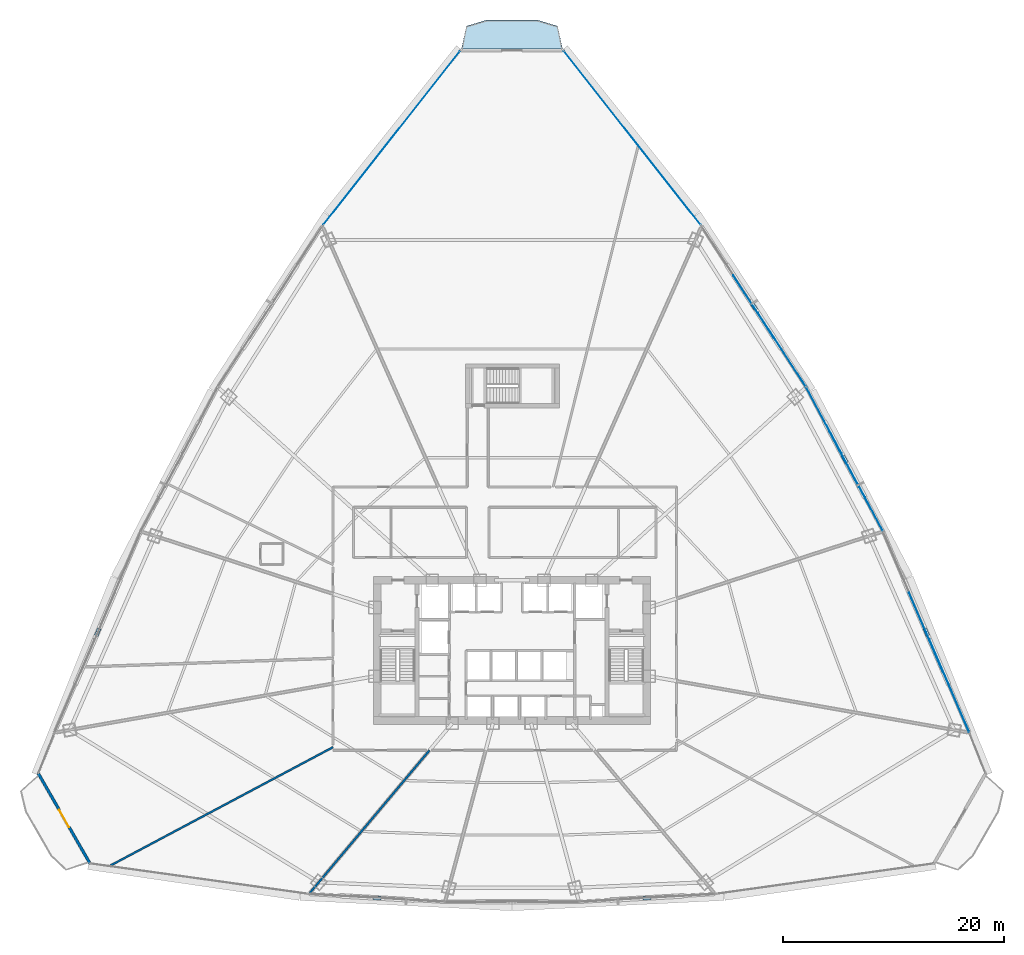
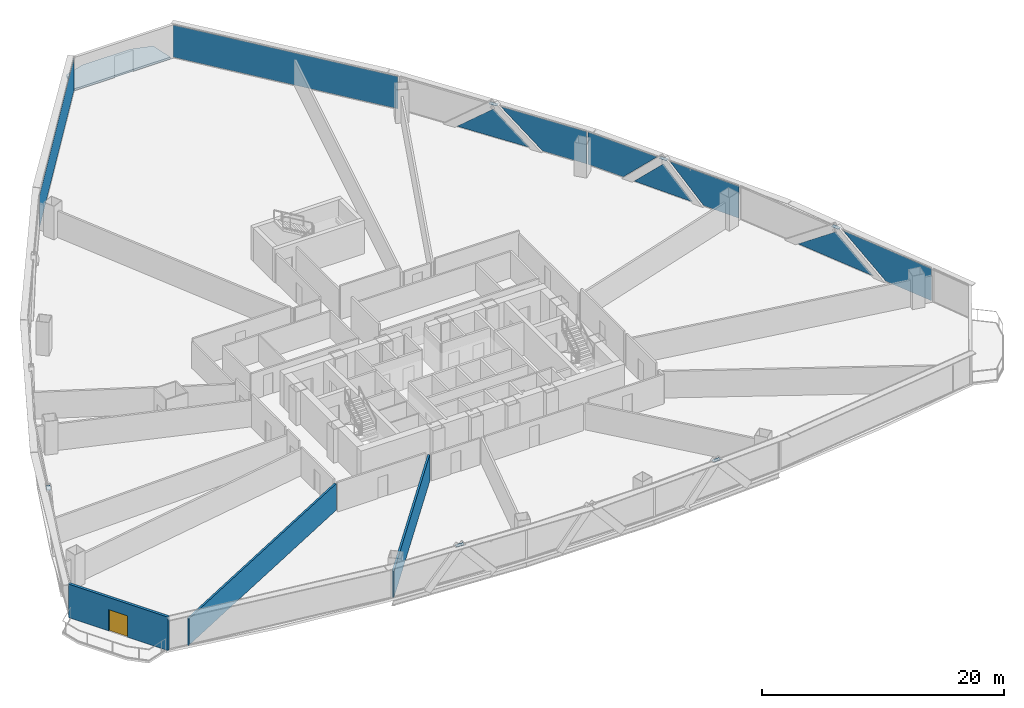
# One storey, part 28 of 37: 15 plates, 3 walls, 1 door, 1 slab, 1 opening, 5 elements without a shape of their own.
"""IFC4 building model written with IfcOpenShell, lengths in metres."""

from ifc_helpers import new_model, si_unit, direction, frame, frame_2d, origin, origin_with_axes, origin_2d, place, context, subcontext, project, spatial, polyline, rectangle, outline, extrude, source, transform, mapped, material, layer, layer_set, type_object, element, fill, aggregate, save


model = new_model("IFC4")

# Units and contexts
model_context = context("Model", 3, precision=1e-05, world=origin(), true_north=direction((0.0, 1.0)))
body_context = subcontext(model_context, "Body", "Model", "MODEL_VIEW")
ifc_project = project(units=[si_unit("LENGTHUNIT", "METRE"), si_unit("AREAUNIT", "SQUARE_METRE"), si_unit("VOLUMEUNIT", "CUBIC_METRE"), si_unit("PLANEANGLEUNIT", "RADIAN"), si_unit("MASSUNIT", "GRAM", prefix="KILO"), si_unit("THERMODYNAMICTEMPERATUREUNIT", "KELVIN"), si_unit("POWERUNIT", "WATT")], contexts=[model_context])

# Site, building, storey
site_placement = place(None, origin())
site = spatial("IfcSite", under=ifc_project, at=site_placement, CompositionType="ELEMENT")
building_placement = place(site_placement, origin())
building = spatial("IfcBuilding", under=site, at=building_placement, Name="Yunzhuo Pagoda Commons", CompositionType="ELEMENT")
storey_placement = place(building_placement, frame((0.0, 0.0, 52.179931640625)))
storey = spatial("IfcBuildingStorey", under=building, at=storey_placement, Name="L13", CompositionType="ELEMENT", Elevation=52.179931640625)

# Curtain wall, plates
ifc_material_1 = material(Name="Anodized aluminium 6063-T6", Category="aluminium")
ifc_layer_1 = layer(ifc_material_1, 0.1650390625)
ifc_layer_set_1 = layer_set([ifc_layer_1], Name="Anodized aluminium 6063-T6")
curtain_wall_type = type_object("IfcCurtainWallType", Name="CW-LOW Low-Zone Ribbon Curtain Wall", PredefinedType="NOTDEFINED", material=ifc_layer_set_1)
curtain_wall_1_placement = place(storey_placement, origin())
curtain_wall_1 = element("IfcCurtainWall", 1, at=curtain_wall_1_placement, inside=storey, type_object=curtain_wall_type, Name="L13 curtain wall CW-L13-F2B2", PredefinedType="NOTDEFINED")
ifc_material_2 = material(Name="Tempered low-e double glazing", Category="glass")
ifc_layer_2 = layer(ifc_material_2, 0.028076171875)
ifc_layer_set_2 = layer_set([ifc_layer_2], Name="Tempered low-e double glazing")
plate_type_1 = type_object("IfcPlateType", Name="CW-LOW-P Low-E Double Glazing 28", PredefinedType="CURTAIN_PANEL", material=ifc_layer_set_2)
plate_1_placement = place(storey_placement, frame((87.583251953125, 30.642822265625, 1.68505859375), z_axis=(0.918993139703, 0.394273520769, 0.0), x_axis=(-0.394273520769, 0.918993139703, 0.0)))
plate_1 = element("IfcPlate", 2, at=plate_1_placement, type_object=plate_type_1, Name="CW panel 1.1 lite 1", PredefinedType="CURTAIN_PANEL", context=body_context, shape_type="SweptSolid", body=[
    extrude(outline(polyline([(-4.56201171875, -1.625), (0.123779296875, -1.625), (4.56201171875, 1.625), (-4.56201171875, 1.625), (-4.56201171875, -1.625)])), origin(), (0.0, 0.0, 1.0), 0.028076171875),
])
plate_2_placement = place(storey_placement, frame((85.47119140625, 35.489990234375, 1.4794921875), z_axis=(0.918993139703, 0.394273520769, 0.0), x_axis=(-0.394273520769, 0.918993139703, 0.0)))
plate_2 = element("IfcPlate", 3, at=plate_2_placement, type_object=plate_type_1, Name="CW panel 1.1 lite 2", PredefinedType="CURTAIN_PANEL", context=body_context, shape_type="SweptSolid", body=[
    extrude(outline(polyline([(-3.876953125, -1.41943359375), (3.876953125, -1.41943359375), (0.0, 1.41943359375), (-3.876953125, -1.41943359375)])), origin(), (0.0, 0.0, 1.0), 0.028076171875),
])
aggregate(curtain_wall_1, [plate_1, plate_2])

curtain_wall_2_placement = place(storey_placement, origin())
curtain_wall_2 = element("IfcCurtainWall", 4, at=curtain_wall_2_placement, inside=storey, type_object=curtain_wall_type, Name="L13 curtain wall CW-L13-F2B3", PredefinedType="NOTDEFINED")
plate_3_placement = place(storey_placement, frame((79.975830078125, 47.640625, 1.68505859375), z_axis=(0.882469570104, 0.470369490762, 0.0), x_axis=(-0.470369490762, 0.882469570104, 0.0)))
plate_3 = element("IfcPlate", 5, at=plate_3_placement, type_object=plate_type_1, Name="CW panel 1.1 lite 1", PredefinedType="CURTAIN_PANEL", context=body_context, shape_type="SweptSolid", body=[
    extrude(outline(polyline([(-3.3671875, -1.625), (0.052978515625, -1.625), (3.3671875, 1.625), (-3.3671875, 1.625), (-3.3671875, -1.625)])), origin(), (0.0, 0.0, 1.0), 0.028076171875),
])
plate_4_placement = place(storey_placement, frame((78.08154296875, 51.131103515625, 1.448974609375), z_axis=(0.882469570104, 0.470369490762, 0.0), x_axis=(-0.470369490762, 0.882469570104, 0.0)))
plate_4 = element("IfcPlate", 6, at=plate_4_placement, type_object=plate_type_1, Name="CW panel 1.1 lite 2", PredefinedType="CURTAIN_PANEL", context=body_context, shape_type="SweptSolid", body=[
    extrude(outline(polyline([(-2.832763671875, -1.388916015625), (2.832763671875, -1.388916015625), (0.0, 1.388916015625), (-2.832763671875, -1.388916015625)])), origin(), (0.0, 0.0, 1.0), 0.028076171875),
])
plate_5_placement = place(storey_placement, frame((76.240234375, 54.649658203125, 1.68505859375), z_axis=(0.882469570104, 0.470369490762, 0.0), x_axis=(-0.470369490762, 0.882469570104, 0.0)))
plate_5 = element("IfcPlate", 7, at=plate_5_placement, type_object=plate_type_1, Name="CW panel 1.1 lite 3", PredefinedType="CURTAIN_PANEL", context=body_context, shape_type="SweptSolid", body=[
    extrude(outline(polyline([(-3.3671875, 1.625), (-0.052978515625, -1.625), (3.3671875, -1.625), (3.3671875, 1.625), (-3.3671875, 1.625)])), origin(), (0.0, 0.0, 1.0), 0.028076171875),
])
aggregate(curtain_wall_2, [plate_3, plate_4, plate_5])

curtain_wall_3_placement = place(storey_placement, origin())
curtain_wall_3 = element("IfcCurtainWall", 8, at=curtain_wall_3_placement, inside=storey, type_object=curtain_wall_type, Name="L13 curtain wall CW-L13-F2B4", PredefinedType="NOTDEFINED")
plate_6_placement = place(storey_placement, frame((72.423095703125, 61.07177734375, 1.68505859375), z_axis=(0.838776712394, 0.544475552018, 0.0), x_axis=(-0.544475552018, 0.838776712394, 0.0)))
plate_6 = element("IfcPlate", 9, at=plate_6_placement, type_object=plate_type_1, Name="CW panel 1.1 lite 1", PredefinedType="CURTAIN_PANEL", context=body_context, shape_type="SweptSolid", body=[
    extrude(outline(polyline([(-3.981689453125, -1.625), (0.090087890625, -1.625), (3.981689453125, 1.625), (-3.981689453125, 1.625), (-3.981689453125, -1.625)])), origin(), (0.0, 0.0, 1.0), 0.028076171875),
])
plate_7_placement = place(storey_placement, frame((69.867919921875, 64.952880859375, 1.467529296875), z_axis=(0.838776712394, 0.544475552018, 0.0), x_axis=(-0.544475552018, 0.838776712394, 0.0)))
plate_7 = element("IfcPlate", 10, at=plate_7_placement, type_object=plate_type_1, Name="CW panel 1.1 lite 2", PredefinedType="CURTAIN_PANEL", context=body_context, shape_type="SweptSolid", body=[
    extrude(outline(polyline([(-3.37060546875, -1.407470703125), (3.37060546875, -1.407470703125), (0.0, 1.407470703125), (-3.37060546875, -1.407470703125)])), origin(), (0.0, 0.0, 1.0), 0.028076171875),
])
aggregate(curtain_wall_3, [plate_6, plate_7])

# Slab
ifc_material_3 = material(Name="Concrete C40", Category="concrete")
ifc_layer_3 = layer(ifc_material_3, 0.199951171875)
ifc_layer_set_3 = layer_set([ifc_layer_3], Name="Concrete C40")
slab_type = type_object("IfcSlabType", Name="SL-BAL Vertex Balcony Deck Slab 200", PredefinedType="FLOOR", material=ifc_layer_set_3)
slab_placement = place(storey_placement, frame((0.0, 0.0, -0.199951171875)))
element("IfcSlab", 11, at=slab_placement, inside=storey, type_object=slab_type, Name="L13 corner balcony V3", PredefinedType="FLOOR", context=body_context, shape_type="SweptSolid", body=[
    extrude(outline(polyline([(52.5830078125, 88.285400390625), (43.4169921875, 88.285400390625), (43.866943359375, 90.38037109375), (45.70849609375, 90.930419921875), (50.29150390625, 90.930419921875), (52.133056640625, 90.38037109375), (52.5830078125, 88.285400390625)])), origin(), (0.0, 0.0, 1.0), 0.199951171875),
])

# Plates
ifc_material_4 = material(Name="Structural steel Q355B", Category="steel")
ifc_layer_4 = layer(ifc_material_4, 0.028076171875)
ifc_layer_set_4 = layer_set([ifc_layer_4], Name="Structural steel Q355B")
plate_type_2 = type_object("IfcPlateType", Name="SP-ND1 Lattice Node Cap Plate 800x500x28", PredefinedType="USERDEFINED", material=ifc_layer_set_4)
shared_shape_1 = source(origin(), body_context, "Body", "SweptSolid", [
    extrude(rectangle(XDim=0.699951171875, YDim=0.35009765625, at=origin_2d()), origin(), (0.0, 0.0, 1.0), 0.035888671875),
])
for number, where, z_axis, x_axis, name in (
    (12, (35.77490234375, 11.4306640625, 3.33203125), (0.0, 0.0, 1.0), (0.998335783049, -0.057668572754, 0.0), "L13 setback lattice tie plate F1.1L"),
    (13, (60.22509765625, 11.4306640625, 3.33203125), (0.0, 0.0, 1.0), (0.998335783049, 0.057668572754, 0.0), "L13 setback lattice tie plate F1.3L"),
    (14, (85.51171875, 35.50732421875, 3.33203125), (0.0, 0.0, 1.0), (-0.39427876382, 0.918990890271, 0.0), "L13 setback lattice tie plate F2.1L"),
    (15, (78.12060546875, 51.151611328125, 3.33203125), (0.0, 0.0, 1.0), (-0.470365121964, 0.882471898725, 0.0), "L13 setback lattice tie plate F2.2L"),
    (16, (69.90478515625, 64.976806640625, 3.33203125), (0.0, 0.0, 1.0), (-0.544478011788, 0.838775115677, 0.0), "L13 setback lattice tie plate F2.3L"),
    (17, (10.48828125, 35.50732421875, 3.33203125), (0.0, 0.0, 1.0), (-0.39427876382, -0.918990890271, 0.0), "L13 setback lattice tie plate F3.3L"),
):
    element("IfcPlate", number, at=place(storey_placement, frame(where, z_axis=z_axis, x_axis=x_axis)), inside=storey, type_object=plate_type_2, Name=name, ObjectType="STIFFENER_PLATE", PredefinedType="USERDEFINED", context=body_context, shape_type="MappedRepresentation", body=[
        mapped(shared_shape_1, transform((0.0, 0.0, 0.0), scale=1.0)),
    ])

# Curtain wall, plate
curtain_wall_4_placement = place(storey_placement, origin())
curtain_wall_4 = element("IfcCurtainWall", 18, at=curtain_wall_4_placement, inside=storey, type_object=curtain_wall_type, Name="L13 curtain wall CW-L13-F2B5", PredefinedType="NOTDEFINED")
shared_shape_2 = source(origin(), body_context, "Body", "SweptSolid", [
    extrude(rectangle(XDim=20.002197265625, YDim=0.028076171875, at=origin_2d()), origin(), (0.0, 0.0, 1.0), 3.25),
])
plate_8_placement = place(storey_placement, frame((58.901611328125, 80.23876953125, 0.06005859375), z_axis=(0.0, 0.0, 1.0), x_axis=(-0.618272474794, 0.785963833081, 0.0)))
plate_8 = element("IfcPlate", 19, at=plate_8_placement, type_object=plate_type_1, Name="CW panel 1.1", PredefinedType="CURTAIN_PANEL", context=body_context, shape_type="MappedRepresentation", body=[
    mapped(shared_shape_2, transform((0.0, 0.0, 0.0), scale=1.0)),
])
aggregate(curtain_wall_4, [plate_8])

curtain_wall_5_placement = place(storey_placement, origin())
curtain_wall_5 = element("IfcCurtainWall", 20, at=curtain_wall_5_placement, inside=storey, type_object=curtain_wall_type, Name="L13 curtain wall CW-L13-F3B1", PredefinedType="NOTDEFINED")
plate_9_placement = place(storey_placement, frame((37.098388671875, 80.23876953125, 0.06005859375), z_axis=(0.0, 0.0, 1.0), x_axis=(-0.618272474794, -0.785963833081, 0.0)))
plate_9 = element("IfcPlate", 21, at=plate_9_placement, type_object=plate_type_1, Name="CW panel 1.1", PredefinedType="CURTAIN_PANEL", context=body_context, shape_type="MappedRepresentation", body=[
    mapped(shared_shape_2, transform((0.0, 0.0, 0.0), scale=1.0)),
])
aggregate(curtain_wall_5, [plate_9])

# Wall, opening, door
ifc_material_5 = material(Name="Precast concrete C40", Category="concrete")
ifc_layer_5 = layer(ifc_material_5, 0.260009765625)
ifc_layer_set_5 = layer_set([ifc_layer_5], Name="Precast concrete C40")
wall_type_1 = type_object("IfcWallType", Name="W-BAL1 Corner Balcony Threshold Wall 260", PredefinedType="STANDARD", material=ifc_layer_set_5)
wall_1_placement = place(storey_placement, frame((5.083740234375, 22.7412109375, 0.0), z_axis=(0.0, 0.0, 1.0), x_axis=(0.497919395469, -0.86722331358, 0.0)))
wall_1 = element("IfcWall", 22, at=wall_1_placement, inside=storey, type_object=wall_type_1, Name="L13 corner balcony wall V1", PredefinedType="STANDARD", context=body_context, shape_type="SweptSolid", body=[
    extrude(rectangle(XDim=9.50439453125, YDim=0.260009765625, at=frame_2d((4.752197265625, 0.0))), origin(), (0.0, 0.0, 1.0), 3.3701171875),
])
opening_placement = place(wall_1_placement, frame((3.852294921875, 0.0, 0.0)))
opening = element("IfcOpeningElement", 23, at=opening_placement, cuts=wall_1, Name="Opening D-BAL1", PredefinedType="OPENING", context=body_context, shape_type="SweptSolid", body=[
    extrude(rectangle(XDim=1.800048828125, YDim=2.14990234375, at=frame_2d((0.89990234375, 1.074951171875))), frame((0.0, 0.14013671875, 0.0), z_axis=(0.0, -1.0, 0.0), x_axis=(1.0, 0.0, 0.0)), (0.0, 0.0, 1.0), 0.280029296875),
])
ifc_material_6 = material(Name="Anodized aluminium frame and tempered glazed leaf", Category="aluminium")
door_type = type_object("IfcDoorType", Name="D-BAL1 Corner Balcony Sliding Glazed Door 1800x2150", OperationType="DOUBLE_DOOR_SLIDING", PredefinedType="DOOR", material=ifc_material_6)
shared_shape_3 = source(origin(), body_context, "Body", "SweptSolid", [
    extrude(rectangle(XDim=1.800048828125, YDim=2.14990234375, at=frame_2d((0.89990234375, 1.074951171875))), frame((0.0, 0.02490234375, 0.0), z_axis=(0.0, -1.0, 0.0), x_axis=(1.0, 0.0, 0.0)), (0.0, 0.0, 1.0), 0.050048828125),
])
door_placement = place(opening_placement, origin_with_axes())
door = element("IfcDoor", 24, at=door_placement, inside=storey, type_object=door_type, Name="L13 corner balcony sliding door V1", OperationType="DOUBLE_DOOR_SLIDING", OverallHeight=2.14990234375, OverallWidth=1.800048828125, PredefinedType="DOOR", context=body_context, shape_type="MappedRepresentation", body=[
    mapped(shared_shape_3, transform((0.0, 0.0, 0.0), scale=1.0)),
])
fill(opening, door)

# Walls
ifc_material_7 = material(Name="Gypsum plasterboard on acoustic stud")
ifc_layer_6 = layer(ifc_material_7, 0.179931640625)
ifc_layer_set_6 = layer_set([ifc_layer_6], Name="Gypsum plasterboard on acoustic stud")
wall_type_2 = type_object("IfcWallType", Name="W-PRT2 Acoustic Unit Demising Wall 180", PredefinedType="PARTITIONING", material=ifc_layer_set_6)
wall_2_placement = place(storey_placement, frame((31.800048828125, 25.086181640625, 0.0), z_axis=(0.0, 0.0, 1.0), x_axis=(-0.882952279159, -0.469462749032, 0.0)))
element("IfcWall", 25, at=wall_2_placement, inside=storey, type_object=wall_type_2, Name="L13 interior wall IW-L13-RAD09", PredefinedType="PARTITIONING", context=body_context, shape_type="SweptSolid", body=[
    extrude(rectangle(XDim=22.964599609375, YDim=0.179931640625, at=frame_2d((11.482421875, 0.0))), origin(), (0.0, 0.0, 1.0), 2.670166015625),
])
wall_3_placement = place(storey_placement, frame((40.531982421875, 24.800048828125, 0.0), z_axis=(0.0, 0.0, 1.0), x_axis=(-0.642791593325, -0.766041100432, 0.0)))
element("IfcWall", 26, at=wall_3_placement, inside=storey, type_object=wall_type_2, Name="L13 interior wall IW-L13-RAD10", PredefinedType="PARTITIONING", context=body_context, shape_type="SweptSolid", body=[
    extrude(rectangle(XDim=16.98779296875, YDim=0.179931640625, at=frame_2d((8.493896484375, 0.0))), origin(), (0.0, 0.0, 1.0), 2.670166015625),
])

save(model, "model.ifc")
